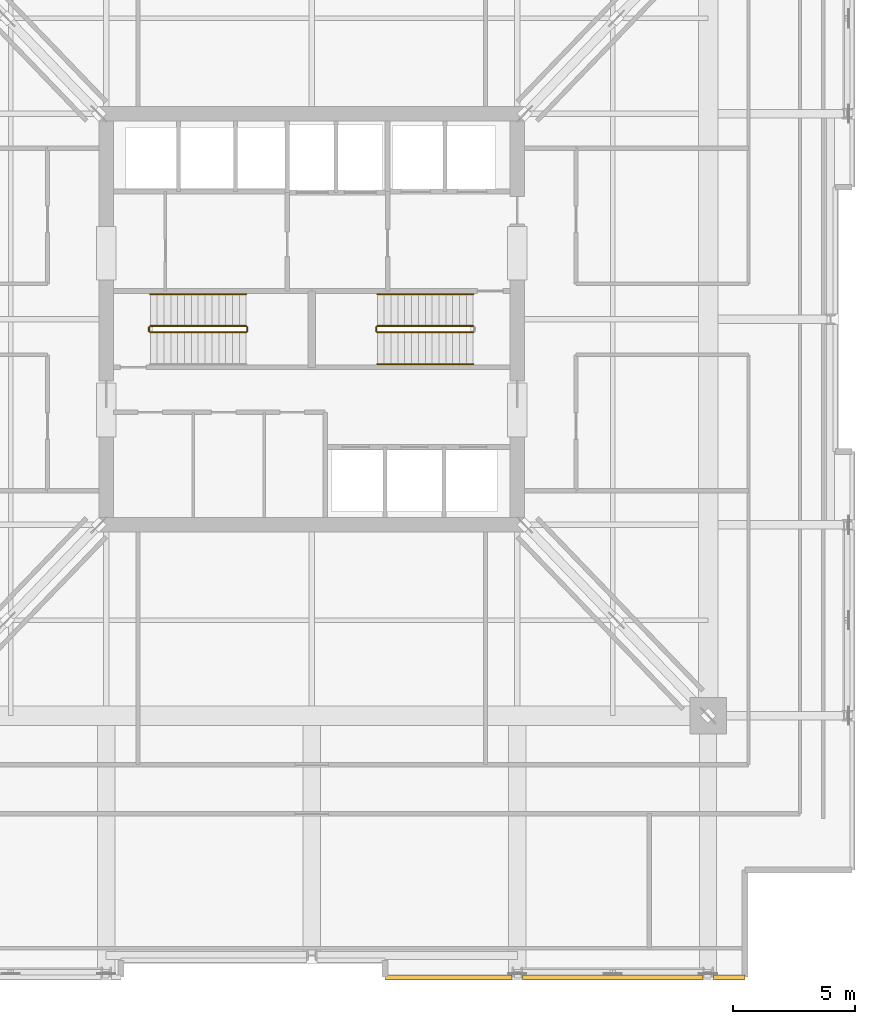
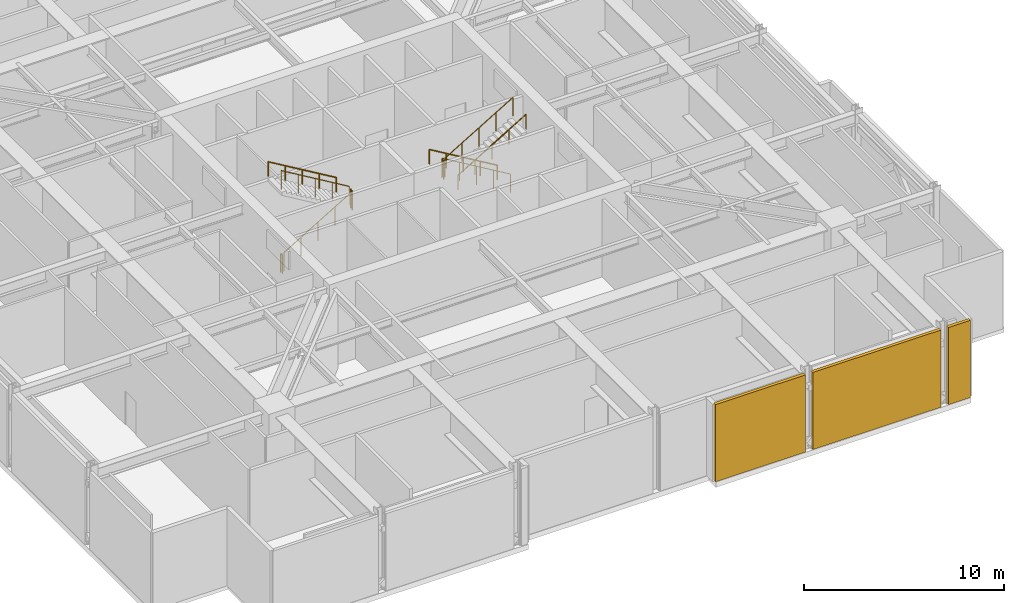
# One storey, part 11 of 13: 10 railings, 3 shading devices.
"""IFC4 building model written with IfcOpenShell, lengths in metres."""

from ifc_helpers import new_model, si_unit, direction, frame, origin, origin_2d, place, context, subcontext, project, spatial, rectangle, circle, extrude, material, layer, layer_set, type_object, element, save


model = new_model("IFC4")

# Units and contexts
model_context = context("Model", 3, precision=1e-05, world=origin(), true_north=direction((0.0, 1.0)))
body_context = subcontext(model_context, "Body", "Model", "MODEL_VIEW")
ifc_project = project(units=[si_unit("LENGTHUNIT", "METRE"), si_unit("AREAUNIT", "SQUARE_METRE"), si_unit("VOLUMEUNIT", "CUBIC_METRE"), si_unit("PLANEANGLEUNIT", "RADIAN"), si_unit("MASSUNIT", "GRAM", prefix="KILO")], contexts=[model_context])

# Site, building, storey
site_placement = place(None, origin())
site = spatial("IfcSite", under=ifc_project, at=site_placement, CompositionType="ELEMENT")
building_placement = place(site_placement, origin())
building = spatial("IfcBuilding", under=site, at=building_placement, Name="Drelvath Grand Hotel", CompositionType="ELEMENT")
storey_placement = place(building_placement, frame((0.0, 0.0, 140.800048828125)))
storey = spatial("IfcBuildingStorey", under=building, at=storey_placement, Name="L36", CompositionType="ELEMENT", Elevation=140.800048828125)

# Railings
ifc_material_1 = material(Name="Painted Steel S275", Category="steel")
railing_type_1 = type_object("IfcRailingType", Name="Core Stair Wall Handrail 900", PredefinedType="HANDRAIL", material=ifc_material_1)
for number, where, name in (
    (1, (-2.679931640625, 28.030029296875, 2.66650390625), "L36 ST-1 stair handrail 2"),
    (2, (6.60009765625, 28.030029296875, 0.16650390625), "L36 ST-2 stair handrail 1"),
):
    element("IfcRailing", number, at=place(storey_placement, frame(where)), inside=storey, type_object=railing_type_1, Name=name, PredefinedType="HANDRAIL", context=body_context, shape_type="SweptSolid", body=[
        extrude(circle(Radius=0.02392578125, at=origin_2d()), frame((0.0, 0.0, 0.8759765625), z_axis=(-0.859286724212, 0.0, 0.511494208758), x_axis=(0.0, -1.0, 0.0)), (0.0, 0.0, 1.0), 4.56201171875),
        extrude(circle(Radius=0.02099609375, at=origin_2d()), origin(), (0.0, 0.0, 1.0), 0.851806640625),
        extrude(circle(Radius=0.02099609375, at=origin_2d()), frame((-0.97998046875, 0.0, 0.58349609375)), (0.0, 0.0, 1.0), 0.851806640625),
        extrude(circle(Radius=0.02099609375, at=origin_2d()), frame((-1.9599609375, 0.0, 1.166748046875)), (0.0, 0.0, 1.0), 0.851806640625),
        extrude(circle(Radius=0.02099609375, at=origin_2d()), frame((-2.940185546875, 0.0, 1.75)), (0.0, 0.0, 1.0), 0.851806640625),
        extrude(circle(Radius=0.02099609375, at=origin_2d()), frame((-3.920166015625, 0.0, 2.33349609375)), (0.0, 0.0, 1.0), 0.851806640625),
    ])
railing_1_placement = place(storey_placement, frame((2.679931640625, 25.169921875, 2.66650390625)))
element("IfcRailing", 3, at=railing_1_placement, inside=storey, type_object=railing_type_1, Name="L36 ST-2 stair handrail 2", PredefinedType="HANDRAIL", context=body_context, shape_type="SweptSolid", body=[
    extrude(circle(Radius=0.02392578125, at=origin_2d()), frame((0.0, 0.0, 0.8759765625), z_axis=(0.859286724212, 0.0, 0.511494208758), x_axis=(0.0, 1.0, 0.0)), (0.0, 0.0, 1.0), 4.56201171875),
    extrude(circle(Radius=0.02099609375, at=origin_2d()), origin(), (0.0, 0.0, 1.0), 0.851806640625),
    extrude(circle(Radius=0.02099609375, at=origin_2d()), frame((0.97998046875, 0.0, 0.58349609375)), (0.0, 0.0, 1.0), 0.851806640625),
    extrude(circle(Radius=0.02099609375, at=origin_2d()), frame((1.9599609375, 0.0, 1.166748046875)), (0.0, 0.0, 1.0), 0.851806640625),
    extrude(circle(Radius=0.02099609375, at=origin_2d()), frame((2.940185546875, 0.0, 1.75)), (0.0, 0.0, 1.0), 0.851806640625),
    extrude(circle(Radius=0.02099609375, at=origin_2d()), frame((3.920166015625, 0.0, 2.33349609375)), (0.0, 0.0, 1.0), 0.851806640625),
])
railing_type_2 = type_object("IfcRailingType", Name="Core Stair Well Guardrail 1100", PredefinedType="GUARDRAIL", material=ifc_material_1)
railing_2_placement = place(storey_placement, frame((-6.60009765625, 26.469970703125, 0.16650390625)))
element("IfcRailing", 4, at=railing_2_placement, inside=storey, type_object=railing_type_2, Name="L36 ST-1 stair guard 1", PredefinedType="GUARDRAIL", context=body_context, shape_type="SweptSolid", body=[
    extrude(circle(Radius=0.02392578125, at=origin_2d()), frame((0.0, 0.0, 1.1259765625), z_axis=(0.859286724212, 0.0, 0.511494208758), x_axis=(0.0, 1.0, 0.0)), (0.0, 0.0, 1.0), 4.56201171875),
    extrude(circle(Radius=0.02099609375, at=origin_2d()), origin(), (0.0, 0.0, 1.0), 1.101806640625),
    extrude(circle(Radius=0.02099609375, at=origin_2d()), frame((0.97998046875, 0.0, 0.58349609375)), (0.0, 0.0, 1.0), 1.101806640625),
    extrude(circle(Radius=0.02099609375, at=origin_2d()), frame((1.9599609375, 0.0, 1.166748046875)), (0.0, 0.0, 1.0), 1.101806640625),
    extrude(circle(Radius=0.02099609375, at=origin_2d()), frame((2.940185546875, 0.0, 1.75)), (0.0, 0.0, 1.0), 1.101806640625),
    extrude(circle(Radius=0.02099609375, at=origin_2d()), frame((3.920166015625, 0.0, 2.33349609375)), (0.0, 0.0, 1.0), 1.101806640625),
])
railing_3_placement = place(storey_placement, frame((-2.6298828125, 26.52001953125, 2.5)))
element("IfcRailing", 5, at=railing_3_placement, inside=storey, type_object=railing_type_2, Name="L36 ST-1 stair guard 2", PredefinedType="GUARDRAIL", context=body_context, shape_type="SweptSolid", body=[
    extrude(circle(Radius=0.02392578125, at=origin_2d()), frame((0.0, 0.0, 1.1259765625), z_axis=(0.0, 1.0, 0.0), x_axis=(-1.0, 0.0, 0.0)), (0.0, 0.0, 1.0), 0.159912109375),
    extrude(circle(Radius=0.02099609375, at=origin_2d()), origin(), (0.0, 0.0, 1.0), 1.101806640625),
    extrude(circle(Radius=0.02099609375, at=origin_2d()), frame((0.0, 0.159912109375, 0.0)), (0.0, 0.0, 1.0), 1.101806640625),
])
railing_4_placement = place(storey_placement, frame((-2.679931640625, 26.72998046875, 2.66650390625)))
element("IfcRailing", 6, at=railing_4_placement, inside=storey, type_object=railing_type_2, Name="L36 ST-1 stair guard 3", PredefinedType="GUARDRAIL", context=body_context, shape_type="SweptSolid", body=[
    extrude(circle(Radius=0.02392578125, at=origin_2d()), frame((0.0, 0.0, 1.1259765625), z_axis=(-0.859286724212, 0.0, 0.511494208758), x_axis=(0.0, -1.0, 0.0)), (0.0, 0.0, 1.0), 4.56201171875),
    extrude(circle(Radius=0.02099609375, at=origin_2d()), origin(), (0.0, 0.0, 1.0), 1.101806640625),
    extrude(circle(Radius=0.02099609375, at=origin_2d()), frame((-0.97998046875, 0.0, 0.58349609375)), (0.0, 0.0, 1.0), 1.101806640625),
    extrude(circle(Radius=0.02099609375, at=origin_2d()), frame((-1.9599609375, 0.0, 1.166748046875)), (0.0, 0.0, 1.0), 1.101806640625),
    extrude(circle(Radius=0.02099609375, at=origin_2d()), frame((-2.940185546875, 0.0, 1.75)), (0.0, 0.0, 1.0), 1.101806640625),
    extrude(circle(Radius=0.02099609375, at=origin_2d()), frame((-3.920166015625, 0.0, 2.33349609375)), (0.0, 0.0, 1.0), 1.101806640625),
])
railing_5_placement = place(storey_placement, frame((-6.64990234375, 26.52001953125, 0.0)))
element("IfcRailing", 7, at=railing_5_placement, inside=storey, type_object=railing_type_2, Name="L36 ST-1 stair guard 4", PredefinedType="GUARDRAIL", context=body_context, shape_type="SweptSolid", body=[
    extrude(circle(Radius=0.02392578125, at=origin_2d()), frame((0.0, 0.0, 1.1259765625), z_axis=(0.0, 1.0, 0.0), x_axis=(-1.0, 0.0, 0.0)), (0.0, 0.0, 1.0), 0.159912109375),
    extrude(circle(Radius=0.02099609375, at=origin_2d()), origin(), (0.0, 0.0, 1.0), 1.101806640625),
    extrude(circle(Radius=0.02099609375, at=origin_2d()), frame((0.0, 0.159912109375, 0.0)), (0.0, 0.0, 1.0), 1.101806640625),
])
railing_6_placement = place(storey_placement, frame((6.60009765625, 26.72998046875, 0.16650390625)))
element("IfcRailing", 8, at=railing_6_placement, inside=storey, type_object=railing_type_2, Name="L36 ST-2 stair guard 1", PredefinedType="GUARDRAIL", context=body_context, shape_type="SweptSolid", body=[
    extrude(circle(Radius=0.02392578125, at=origin_2d()), frame((0.0, 0.0, 1.1259765625), z_axis=(-0.859286724212, 0.0, 0.511494208758), x_axis=(0.0, -1.0, 0.0)), (0.0, 0.0, 1.0), 4.56201171875),
    extrude(circle(Radius=0.02099609375, at=origin_2d()), origin(), (0.0, 0.0, 1.0), 1.101806640625),
    extrude(circle(Radius=0.02099609375, at=origin_2d()), frame((-0.97998046875, 0.0, 0.58349609375)), (0.0, 0.0, 1.0), 1.101806640625),
    extrude(circle(Radius=0.02099609375, at=origin_2d()), frame((-1.9599609375, 0.0, 1.166748046875)), (0.0, 0.0, 1.0), 1.101806640625),
    extrude(circle(Radius=0.02099609375, at=origin_2d()), frame((-2.940185546875, 0.0, 1.75)), (0.0, 0.0, 1.0), 1.101806640625),
    extrude(circle(Radius=0.02099609375, at=origin_2d()), frame((-3.920166015625, 0.0, 2.33349609375)), (0.0, 0.0, 1.0), 1.101806640625),
])
railing_7_placement = place(storey_placement, frame((2.6298828125, 26.679931640625, 2.5)))
element("IfcRailing", 9, at=railing_7_placement, inside=storey, type_object=railing_type_2, Name="L36 ST-2 stair guard 2", PredefinedType="GUARDRAIL", context=body_context, shape_type="SweptSolid", body=[
    extrude(circle(Radius=0.02392578125, at=origin_2d()), frame((0.0, 0.0, 1.1259765625), z_axis=(0.0, -1.0, 0.0), x_axis=(1.0, 0.0, 0.0)), (0.0, 0.0, 1.0), 0.159912109375),
    extrude(circle(Radius=0.02099609375, at=origin_2d()), origin(), (0.0, 0.0, 1.0), 1.101806640625),
    extrude(circle(Radius=0.02099609375, at=origin_2d()), frame((0.0, -0.159912109375, 0.0)), (0.0, 0.0, 1.0), 1.101806640625),
])
railing_8_placement = place(storey_placement, frame((2.679931640625, 26.469970703125, 2.66650390625)))
element("IfcRailing", 10, at=railing_8_placement, inside=storey, type_object=railing_type_2, Name="L36 ST-2 stair guard 3", PredefinedType="GUARDRAIL", context=body_context, shape_type="SweptSolid", body=[
    extrude(circle(Radius=0.02392578125, at=origin_2d()), frame((0.0, 0.0, 1.1259765625), z_axis=(0.859286724212, 0.0, 0.511494208758), x_axis=(0.0, 1.0, 0.0)), (0.0, 0.0, 1.0), 4.56201171875),
    extrude(circle(Radius=0.02099609375, at=origin_2d()), origin(), (0.0, 0.0, 1.0), 1.101806640625),
    extrude(circle(Radius=0.02099609375, at=origin_2d()), frame((0.97998046875, 0.0, 0.58349609375)), (0.0, 0.0, 1.0), 1.101806640625),
    extrude(circle(Radius=0.02099609375, at=origin_2d()), frame((1.9599609375, 0.0, 1.166748046875)), (0.0, 0.0, 1.0), 1.101806640625),
    extrude(circle(Radius=0.02099609375, at=origin_2d()), frame((2.940185546875, 0.0, 1.75)), (0.0, 0.0, 1.0), 1.101806640625),
    extrude(circle(Radius=0.02099609375, at=origin_2d()), frame((3.920166015625, 0.0, 2.33349609375)), (0.0, 0.0, 1.0), 1.101806640625),
])

# Shading devices
ifc_material_2 = material(Name="Pale-Metal Anodised Aluminium Louvre", Category="aluminium")
ifc_layer = layer(ifc_material_2, 0.179931640625)
ifc_layer_set = layer_set([ifc_layer], Name="Pale-Metal Anodised Aluminium Louvre")
shading_device_type = type_object("IfcShadingDeviceType", Name="Mechanical Acoustic Weather Louvre Pale-Metal 180", PredefinedType="USERDEFINED", material=ifc_layer_set)
shading_device_1_placement = place(storey_placement, frame((5.59521484375, 0.1201171875, 0.0), z_axis=(0.0, 0.0, 1.0), x_axis=(1.0, 0.0, 0.0)))
element("IfcShadingDevice", 11, at=shading_device_1_placement, inside=storey, type_object=shading_device_type, Name="L36 Mechanical Plant Acoustic Louvre SE-1", ObjectType="LOUVRE", PredefinedType="USERDEFINED", context=body_context, shape_type="SweptSolid", body=[
    extrude(rectangle(XDim=5.190673828125, YDim=0.179931640625, at=origin_2d()), origin(), (0.0, 0.0, 1.0), 4.699951171875),
])
shading_device_2_placement = place(storey_placement, frame((12.300048828125, 0.1201171875, 0.0), z_axis=(0.0, 0.0, 1.0), x_axis=(1.0, 0.0, 0.0)))
element("IfcShadingDevice", 12, at=shading_device_2_placement, inside=storey, type_object=shading_device_type, Name="L36 Mechanical Plant Acoustic Louvre SE-2", ObjectType="LOUVRE", PredefinedType="USERDEFINED", context=body_context, shape_type="SweptSolid", body=[
    extrude(rectangle(XDim=7.381103515625, YDim=0.179931640625, at=origin_2d()), origin(), (0.0, 0.0, 1.0), 4.699951171875),
])
shading_device_3_placement = place(storey_placement, frame((17.0546875, 0.1201171875, 0.0), z_axis=(0.0, 0.0, 1.0), x_axis=(1.0, 0.0, 0.0)))
element("IfcShadingDevice", 13, at=shading_device_3_placement, inside=storey, type_object=shading_device_type, Name="L36 Mechanical Plant Acoustic Louvre SE-3", ObjectType="LOUVRE", PredefinedType="USERDEFINED", context=body_context, shape_type="SweptSolid", body=[
    extrude(rectangle(XDim=1.29052734375, YDim=0.179931640625, at=origin_2d()), origin(), (0.0, 0.0, 1.0), 4.699951171875),
])

save(model, "model.ifc")
